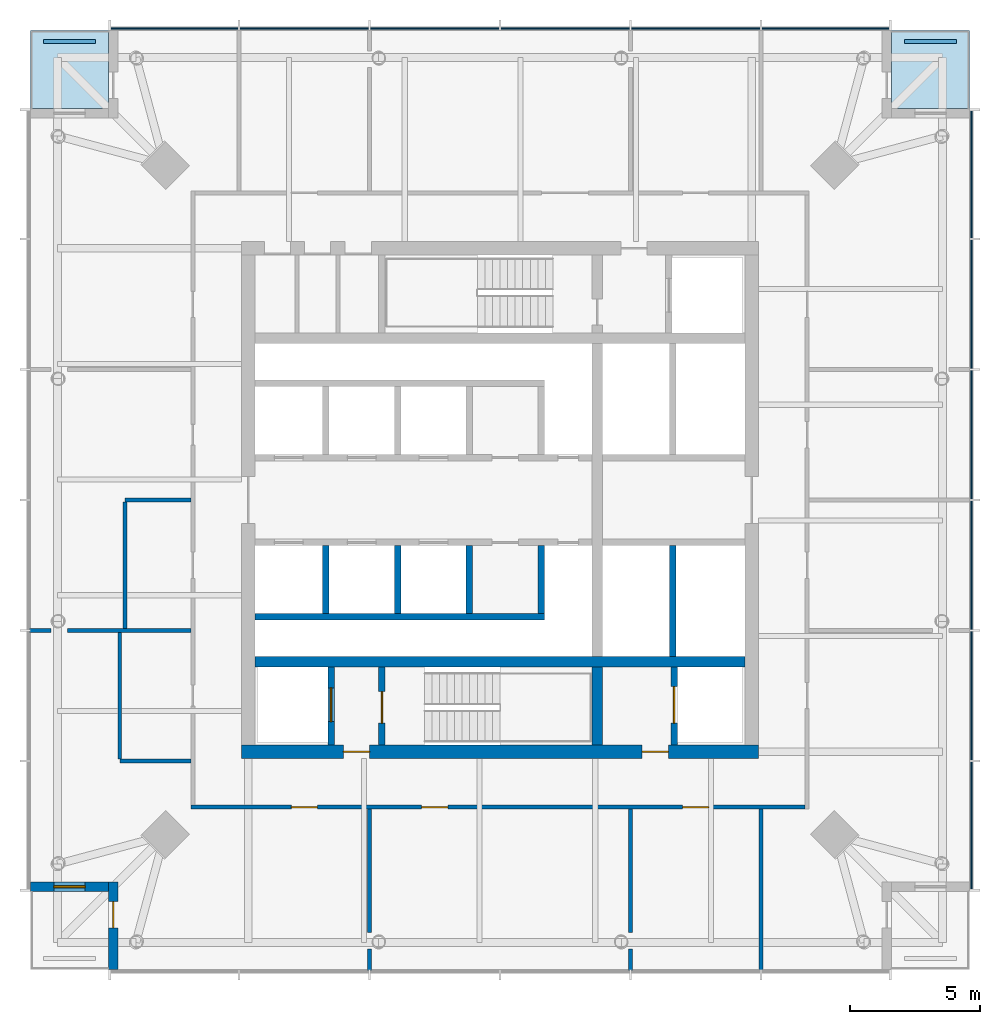
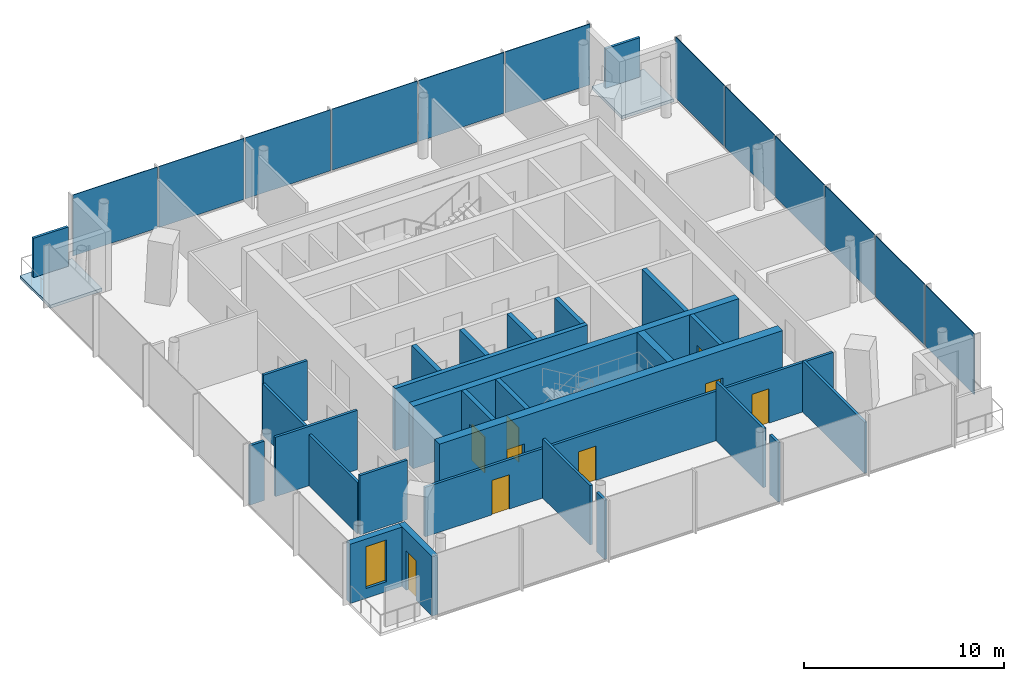
# One storey, part 3 of 7: 26 walls, 14 plates, 9 doors, 2 slabs, 1 window, 10 openings, 2 elements without a shape of their own.
"""IFC4 building model written with IfcOpenShell, lengths in metres."""

import ifcopenshell
import ifcopenshell.guid

model = None  # the IFC model being written
_history = None  # IfcOwnerHistory: only IFC2X3 demands one
_inside = {}  # id of a spatial element -> (the spatial element, [elements in it])
_under = {}  # id of a project, library or spatial element -> (it, [spatial elements below it])
_declared = {}  # id of a project -> (the project, [libraries it declares])
_typed = {}  # id of a type object -> (the type object, [elements of that type])
_made_of = {}  # id of a material, layer set ... -> (it, [elements and type objects made of it])


def new_model(schema):
    """Start an empty IFC model of exactly this schema.

    Asked for "IFC4X3", IfcOpenShell would pick the latest addendum, in which some entities
    have other attributes; the version numbers below select the first issue.
    IFC2X3 requires an IfcOwnerHistory on every rooted entity: one is made here for all.
    """
    global model, _history
    if schema == "IFC4X3":
        model = ifcopenshell.file(schema_version=(4, 3, 0, 0))
    else:
        model = ifcopenshell.file(schema=schema)
    _inside.clear()
    _under.clear()
    _declared.clear()
    _typed.clear()
    _made_of.clear()
    _history = None
    if model.schema == "IFC2X3":
        org = make("IfcOrganization", Name="unknown")
        user = make(
            "IfcPersonAndOrganization",
            ThePerson=make("IfcPerson", FamilyName="unknown"),
            TheOrganization=org,
        )
        app = make(
            "IfcApplication",
            ApplicationDeveloper=org,
            Version="unknown",
            ApplicationFullName="unknown",
            ApplicationIdentifier="unknown",
        )
        _history = make(
            "IfcOwnerHistory",
            OwningUser=user,
            OwningApplication=app,
            ChangeAction="ADDED",
            CreationDate=0,
        )
    return model


def make(cls, **values):
    """One entity of the class cls with the attributes given. An attribute that is None is left unset."""
    return model.create_entity(
        cls, **{name: value for name, value in values.items() if value is not None}
    )


def rooted(cls, **values):
    """An entity with a GlobalId (a new one), such as an element, a storey or a relation."""
    return make(cls, GlobalId=ifcopenshell.guid.new(), OwnerHistory=_history, **values)


def si_unit(unit_type, name, prefix=None):
    """IfcSIUnit, for example si_unit("LENGTHUNIT", "METRE", prefix="MILLI")."""
    return make("IfcSIUnit", UnitType=unit_type, Prefix=prefix, Name=name)


def assignment(units):
    """IfcUnitAssignment: the units of a project."""
    return None if units is None else make("IfcUnitAssignment", Units=units)


def point(xyz):
    """IfcCartesianPoint."""
    return None if xyz is None else make("IfcCartesianPoint", Coordinates=xyz)


def direction(xyz):
    """IfcDirection."""
    return None if xyz is None else make("IfcDirection", DirectionRatios=xyz)


def frame(location, z_axis=None, x_axis=None):
    """IfcAxis2Placement3D, a coordinate frame: its origin and axes. An axis left out is left unset."""
    return make(
        "IfcAxis2Placement3D",
        Location=point(location),
        Axis=direction(z_axis),
        RefDirection=direction(x_axis),
    )


def frame_2d(location, x_axis=None):
    """IfcAxis2Placement2D, a coordinate frame in the plane: its origin and x axis."""
    return make(
        "IfcAxis2Placement2D", Location=point(location), RefDirection=direction(x_axis)
    )


def origin():
    """The frame at (0, 0, 0) with its axes left unset."""
    return frame((0.0, 0.0, 0.0))


def origin_2d():
    """The frame at (0, 0) in the plane with its x axis left unset."""
    return frame_2d((0.0, 0.0))


def place(relative_to, where):
    """IfcLocalPlacement: puts the frame where relative to a parent placement (None: the world)."""
    return make(
        "IfcLocalPlacement", PlacementRelTo=relative_to, RelativePlacement=where
    )


def context(
    kind, dimensions, precision=None, world=None, true_north=None, identifier=None
):
    """IfcGeometricRepresentationContext, for example the 3D "Model" context."""
    return make(
        "IfcGeometricRepresentationContext",
        ContextIdentifier=identifier,
        ContextType=kind,
        CoordinateSpaceDimension=dimensions,
        Precision=precision,
        WorldCoordinateSystem=world,
        TrueNorth=true_north,
    )


def subcontext(parent, identifier, kind, view, scale=None):
    """IfcGeometricRepresentationSubContext, for example "Body" below "Model"."""
    return make(
        "IfcGeometricRepresentationSubContext",
        ContextIdentifier=identifier,
        ContextType=kind,
        ParentContext=parent,
        TargetScale=scale,
        TargetView=view,
    )


def project(units=None, contexts=None):
    """IfcProject with its units and contexts."""
    return rooted(
        "IfcProject",
        Name="project",
        RepresentationContexts=contexts,
        UnitsInContext=assignment(units),
    )


def spatial(cls, under=None, at=None, **own):
    """A site, building, storey or space (cls), placed at a placement, below another one or the project."""
    s = rooted(cls, ObjectPlacement=at, **own)
    if under is not None:
        _under.setdefault(under.id(), (under, []))[1].append(s)
    return s


def polyline(points):
    """IfcPolyline through the points."""
    return make("IfcPolyline", Points=[point(p) for p in points])


def profile(cls, at=None, kind="AREA", **sizes):
    """A parametric profile (cls). Its sizes go by their IFC names, for example OverallWidth=200.0."""
    return make(cls, ProfileType=kind, Position=at, **sizes)


def rectangle(**sizes):
    """IfcRectangleProfileDef."""
    return profile("IfcRectangleProfileDef", **sizes)


def outline(outer, holes=None, kind="AREA"):
    """IfcArbitraryClosedProfileDef: a profile drawn as a closed curve; with holes, ...WithVoids."""
    if holes is None:
        return make("IfcArbitraryClosedProfileDef", ProfileType=kind, OuterCurve=outer)
    return make(
        "IfcArbitraryProfileDefWithVoids",
        ProfileType=kind,
        OuterCurve=outer,
        InnerCurves=holes,
    )


def extrude(swept, where, along, depth):
    """IfcExtrudedAreaSolid: the profile swept, set in the frame where, extruded along a direction by depth."""
    return make(
        "IfcExtrudedAreaSolid",
        SweptArea=swept,
        Position=where,
        ExtrudedDirection=direction(along),
        Depth=depth,
    )


def shape(context_of_items, identifier, shape_type, items):
    """IfcShapeRepresentation: the items that make up one representation, for example the "Body"."""
    return make(
        "IfcShapeRepresentation",
        ContextOfItems=context_of_items,
        RepresentationIdentifier=identifier,
        RepresentationType=shape_type,
        Items=items,
    )


def material(Name=None, Category=None):
    """IfcMaterial."""
    return make("IfcMaterial", Name=Name, Category=Category)


def layer(
    of_material, thickness, ventilated=None, Name=None, Category=None, Priority=None
):
    """IfcMaterialLayer: one layer of a wall or slab, of a material (None: an air gap)."""
    return make(
        "IfcMaterialLayer",
        Material=of_material,
        LayerThickness=thickness,
        IsVentilated=ventilated,
        Name=Name,
        Category=Category,
        Priority=Priority,
    )


def layer_set(layers, Name=None):
    """IfcMaterialLayerSet."""
    return make("IfcMaterialLayerSet", MaterialLayers=layers, LayerSetName=Name)


def made_of(thing, what):
    """Note that an element or type object is made of a material, layer set ...; save() writes the relation."""
    if what is not None:
        _made_of.setdefault(what.id(), (what, []))[1].append(thing)
    return thing


def type_object(cls, material=None, **own):
    """A type object (cls), such as IfcWallType, which elements share."""
    return made_of(rooted(cls, **own), material)


def element(
    cls,
    number,
    at=None,
    inside=None,
    cuts=None,
    type_object=None,
    material=None,
    context=None,
    identifier="Body",
    shape_type=None,
    held_by="IfcProductDefinitionShape",
    body=None,
    shapes=None,
    **own,
):
    """One element of the class cls, such as IfcWall. Its Tag is "e" and its number.

    at: its placement. inside: the storey or other place that contains it. cuts: it is an
    opening in that element (IfcRelVoidsElement). A single representation is given by context,
    identifier, shape_type and body (its items); several are given by shapes. held_by: the class
    of the entity that holds the representations. save() writes the other relations.
    """
    e = rooted(cls, Tag="e%d" % number, ObjectPlacement=at, **own)
    if body is not None:
        shapes = [shape(context, identifier, shape_type, body)]
    if shapes is not None:
        e.Representation = make(held_by, Representations=shapes)
    if inside is not None:
        _inside.setdefault(inside.id(), (inside, []))[1].append(e)
    if cuts is not None:
        rooted(
            "IfcRelVoidsElement", RelatingBuildingElement=cuts, RelatedOpeningElement=e
        )
    if type_object is not None:
        _typed.setdefault(type_object.id(), (type_object, []))[1].append(e)
    return made_of(e, material)


def fill(opening, filler):
    """IfcRelFillsElement: the door or window that sits in an opening."""
    return rooted(
        "IfcRelFillsElement",
        RelatingOpeningElement=opening,
        RelatedBuildingElement=filler,
    )


def aggregate(whole, parts):
    """IfcRelAggregates: a whole, such as a stair, and the parts it consists of."""
    return rooted("IfcRelAggregates", RelatingObject=whole, RelatedObjects=parts)


def save(model, path):
    """Write the relations noted so far, then the file.

    IfcRelAggregates (storeys below a building ...), IfcRelContainedInSpatialStructure (elements
    in a storey), IfcRelDefinesByType, IfcRelAssociatesMaterial and IfcRelDeclares: one each for
    every whole, place, type object, material and project.
    """
    for whole, parts in _under.values():
        aggregate(whole, parts)
    for where, things in _inside.values():
        rooted(
            "IfcRelContainedInSpatialStructure",
            RelatedElements=things,
            RelatingStructure=where,
        )
    for kind, things in _typed.values():
        rooted("IfcRelDefinesByType", RelatedObjects=things, RelatingType=kind)
    for what, things in _made_of.values():
        rooted("IfcRelAssociatesMaterial", RelatedObjects=things, RelatingMaterial=what)
    for by, libraries in _declared.values():
        rooted("IfcRelDeclares", RelatingContext=by, RelatedDefinitions=libraries)
    model.write(path)


model = new_model("IFC4")

# Units and contexts
model_context = context("Model", 3, precision=1e-05, world=origin(), true_north=direction((0.0, 1.0)))
body_context = subcontext(model_context, "Body", "Model", "MODEL_VIEW")
ifc_project = project(units=[si_unit("LENGTHUNIT", "METRE"), si_unit("AREAUNIT", "SQUARE_METRE"), si_unit("VOLUMEUNIT", "CUBIC_METRE"), si_unit("PLANEANGLEUNIT", "RADIAN"), si_unit("MASSUNIT", "GRAM", prefix="KILO")], contexts=[model_context])

# Site, building, storey
site_placement = place(None, origin())
site = spatial("IfcSite", under=ifc_project, at=site_placement, CompositionType="ELEMENT")
building_placement = place(site_placement, origin())
building = spatial("IfcBuilding", under=site, at=building_placement, Name="Ostroluk Exchange", CompositionType="ELEMENT")
storey_placement = place(building_placement, frame((0.0, 0.0, 241.39990234375)))
storey = spatial("IfcBuildingStorey", under=building, at=storey_placement, Name="L62", CompositionType="ELEMENT", Elevation=241.39990234375)

# Slabs
ifc_material_1 = material(Name="Concrete C35/45", Category="concrete")
ifc_layer_1 = layer(ifc_material_1, 0.179931640625)
ifc_layer_set_1 = layer_set([ifc_layer_1], Name="Balcony slab 180")
slab_type = type_object("IfcSlabType", Name="Balcony slab 180", PredefinedType="USERDEFINED", material=ifc_layer_set_1)
slab_1_placement = place(storey_placement, frame((0.0, 0.0, -0.179931640625)))
element("IfcSlab", 1, at=slab_1_placement, inside=storey, type_object=slab_type, Name="Office tower NE corner balcony L62", ObjectType="BALCONY", PredefinedType="USERDEFINED", context=body_context, shape_type="SweptSolid", body=[
    extrude(outline(polyline([(60.0, 61.0), (63.0, 61.0), (63.0, 64.0), (60.0, 64.0), (60.0, 61.0)])), origin(), (0.0, 0.0, 1.0), 0.179931640625),
])
slab_2_placement = place(storey_placement, frame((0.0, 0.0, -0.179931640625)))
element("IfcSlab", 2, at=slab_2_placement, inside=storey, type_object=slab_type, Name="Office tower NW corner balcony L62", ObjectType="BALCONY", PredefinedType="USERDEFINED", context=body_context, shape_type="SweptSolid", body=[
    extrude(outline(polyline([(27.0, 61.0), (30.0, 61.0), (30.0, 64.0), (27.0, 64.0), (27.0, 61.0)])), origin(), (0.0, 0.0, 1.0), 0.179931640625),
])

# Plates
ifc_material_2 = material(Name="Steel S355 trellis with planting", Category="steel")
ifc_layer_2 = layer(ifc_material_2, 0.14990234375)
ifc_layer_set_2 = layer_set([ifc_layer_2], Name="Planted screen 150")
plate_type_1 = type_object("IfcPlateType", Name="Planted screen 150", PredefinedType="USERDEFINED", material=ifc_layer_set_2)
for number, where, z_axis, x_axis, name in (
    (3, (61.5, 63.574951171875, 0.000244140625), (0.0, 0.0, 1.0), (1.0, 0.0, 0.0), "Office tower NE planted screen L62"),
    (4, (28.5, 63.574951171875, 0.000244140625), (0.0, 0.0, 1.0), (1.0, 0.0, 0.0), "Office tower NW planted screen L62"),
):
    element("IfcPlate", number, at=place(storey_placement, frame(where, z_axis=z_axis, x_axis=x_axis)), inside=storey, type_object=plate_type_1, Name=name, ObjectType="PLANTED SCREEN", PredefinedType="USERDEFINED", context=body_context, shape_type="SweptSolid", body=[
        extrude(rectangle(XDim=2.0, YDim=0.14990234375, at=origin_2d()), origin(), (0.0, 0.0, 1.0), 2.39990234375),
    ])

# Curtain wall, plates
ifc_material_3 = material(Name="Laminated clear glass", Category="glass")
curtain_wall_type = type_object("IfcCurtainWallType", Name="Office tower facade", PredefinedType="USERDEFINED", material=ifc_material_3)
curtain_wall_1_placement = place(storey_placement, origin())
curtain_wall_1 = element("IfcCurtainWall", 5, at=curtain_wall_1_placement, inside=storey, type_object=curtain_wall_type, Name="Office tower east facade L62", ObjectType="UNITISED CURTAIN WALL", PredefinedType="USERDEFINED")
ifc_material_4 = material(Name="Laminated clear glass", Category="glass")
ifc_layer_3 = layer(ifc_material_4, 0.0439453125)
ifc_layer_set_3 = layer_set([ifc_layer_3], Name="Triple laminated clear glazing 44")
plate_type_2 = type_object("IfcPlateType", Name="Triple laminated clear glazing 44", PredefinedType="CURTAIN_PANEL", material=ifc_layer_set_3)
plate_1_placement = place(storey_placement, frame((63.074951171875, 33.52001953125, 0.080078125), z_axis=(0.0, 0.0, 1.0), x_axis=(0.0, 1.0, 0.0)))
plate_1 = element("IfcPlate", 6, at=plate_1_placement, type_object=plate_type_2, Name="CW-O1 panel 1.1", PredefinedType="CURTAIN_PANEL", context=body_context, shape_type="SweptSolid", body=[
    extrude(rectangle(XDim=4.8798828125, YDim=0.0439453125, at=origin_2d()), origin(), (0.0, 0.0, 1.0), 3.719970703125),
])
plate_2_placement = place(storey_placement, frame((63.074951171875, 38.5, 0.080078125), z_axis=(0.0, 0.0, 1.0), x_axis=(0.0, 1.0, 0.0)))
plate_2 = element("IfcPlate", 7, at=plate_2_placement, type_object=plate_type_2, Name="CW-O1 panel 2.1", PredefinedType="CURTAIN_PANEL", context=body_context, shape_type="SweptSolid", body=[
    extrude(rectangle(XDim=4.919921875, YDim=0.0439453125, at=origin_2d()), origin(), (0.0, 0.0, 1.0), 3.719970703125),
])
plate_3_placement = place(storey_placement, frame((63.074951171875, 43.5, 0.080078125), z_axis=(0.0, 0.0, 1.0), x_axis=(0.0, 1.0, 0.0)))
plate_3 = element("IfcPlate", 8, at=plate_3_placement, type_object=plate_type_2, Name="CW-O1 panel 3.1", PredefinedType="CURTAIN_PANEL", context=body_context, shape_type="SweptSolid", body=[
    extrude(rectangle(XDim=4.919921875, YDim=0.0439453125, at=origin_2d()), origin(), (0.0, 0.0, 1.0), 3.719970703125),
])
plate_4_placement = place(storey_placement, frame((63.074951171875, 48.5, 0.080078125), z_axis=(0.0, 0.0, 1.0), x_axis=(0.0, 1.0, 0.0)))
plate_4 = element("IfcPlate", 9, at=plate_4_placement, type_object=plate_type_2, Name="CW-O1 panel 4.1", PredefinedType="CURTAIN_PANEL", context=body_context, shape_type="SweptSolid", body=[
    extrude(rectangle(XDim=4.919921875, YDim=0.0439453125, at=origin_2d()), origin(), (0.0, 0.0, 1.0), 3.719970703125),
])
plate_5_placement = place(storey_placement, frame((63.074951171875, 53.5, 0.080078125), z_axis=(0.0, 0.0, 1.0), x_axis=(0.0, 1.0, 0.0)))
plate_5 = element("IfcPlate", 10, at=plate_5_placement, type_object=plate_type_2, Name="CW-O1 panel 5.1", PredefinedType="CURTAIN_PANEL", context=body_context, shape_type="SweptSolid", body=[
    extrude(rectangle(XDim=4.919921875, YDim=0.0439453125, at=origin_2d()), origin(), (0.0, 0.0, 1.0), 3.719970703125),
])
plate_6_placement = place(storey_placement, frame((63.074951171875, 58.47998046875, 0.080078125), z_axis=(0.0, 0.0, 1.0), x_axis=(0.0, 1.0, 0.0)))
plate_6 = element("IfcPlate", 11, at=plate_6_placement, type_object=plate_type_2, Name="CW-O1 panel 6.1", PredefinedType="CURTAIN_PANEL", context=body_context, shape_type="SweptSolid", body=[
    extrude(rectangle(XDim=4.8798828125, YDim=0.0439453125, at=origin_2d()), origin(), (0.0, 0.0, 1.0), 3.719970703125),
])
aggregate(curtain_wall_1, [plate_1, plate_2, plate_3, plate_4, plate_5, plate_6])

curtain_wall_2_placement = place(storey_placement, origin())
curtain_wall_2 = element("IfcCurtainWall", 12, at=curtain_wall_2_placement, inside=storey, type_object=curtain_wall_type, Name="Office tower north facade L62", ObjectType="UNITISED CURTAIN WALL", PredefinedType="USERDEFINED")
plate_7_placement = place(storey_placement, frame((57.47998046875, 64.074951171875, 0.080078125), z_axis=(0.0, 0.0, 1.0), x_axis=(-1.0, 0.0, 0.0)))
plate_7 = element("IfcPlate", 13, at=plate_7_placement, type_object=plate_type_2, Name="CW-O1 panel 1.1", PredefinedType="CURTAIN_PANEL", context=body_context, shape_type="SweptSolid", body=[
    extrude(rectangle(XDim=4.8798828125, YDim=0.0439453125, at=origin_2d()), origin(), (0.0, 0.0, 1.0), 3.719970703125),
])
plate_8_placement = place(storey_placement, frame((52.5, 64.074951171875, 0.080078125), z_axis=(0.0, 0.0, 1.0), x_axis=(-1.0, 0.0, 0.0)))
plate_8 = element("IfcPlate", 14, at=plate_8_placement, type_object=plate_type_2, Name="CW-O1 panel 2.1", PredefinedType="CURTAIN_PANEL", context=body_context, shape_type="SweptSolid", body=[
    extrude(rectangle(XDim=4.919921875, YDim=0.0439453125, at=origin_2d()), origin(), (0.0, 0.0, 1.0), 3.719970703125),
])
plate_9_placement = place(storey_placement, frame((47.5, 64.074951171875, 0.080078125), z_axis=(0.0, 0.0, 1.0), x_axis=(-1.0, 0.0, 0.0)))
plate_9 = element("IfcPlate", 15, at=plate_9_placement, type_object=plate_type_2, Name="CW-O1 panel 3.1", PredefinedType="CURTAIN_PANEL", context=body_context, shape_type="SweptSolid", body=[
    extrude(rectangle(XDim=4.919921875, YDim=0.0439453125, at=origin_2d()), origin(), (0.0, 0.0, 1.0), 3.719970703125),
])
plate_10_placement = place(storey_placement, frame((42.5, 64.074951171875, 0.080078125), z_axis=(0.0, 0.0, 1.0), x_axis=(-1.0, 0.0, 0.0)))
plate_10 = element("IfcPlate", 16, at=plate_10_placement, type_object=plate_type_2, Name="CW-O1 panel 4.1", PredefinedType="CURTAIN_PANEL", context=body_context, shape_type="SweptSolid", body=[
    extrude(rectangle(XDim=4.919921875, YDim=0.0439453125, at=origin_2d()), origin(), (0.0, 0.0, 1.0), 3.719970703125),
])
plate_11_placement = place(storey_placement, frame((37.5, 64.074951171875, 0.080078125), z_axis=(0.0, 0.0, 1.0), x_axis=(-1.0, 0.0, 0.0)))
plate_11 = element("IfcPlate", 17, at=plate_11_placement, type_object=plate_type_2, Name="CW-O1 panel 5.1", PredefinedType="CURTAIN_PANEL", context=body_context, shape_type="SweptSolid", body=[
    extrude(rectangle(XDim=4.919921875, YDim=0.0439453125, at=origin_2d()), origin(), (0.0, 0.0, 1.0), 3.719970703125),
])
plate_12_placement = place(storey_placement, frame((32.52001953125, 64.074951171875, 0.080078125), z_axis=(0.0, 0.0, 1.0), x_axis=(-1.0, 0.0, 0.0)))
plate_12 = element("IfcPlate", 18, at=plate_12_placement, type_object=plate_type_2, Name="CW-O1 panel 6.1", PredefinedType="CURTAIN_PANEL", context=body_context, shape_type="SweptSolid", body=[
    extrude(rectangle(XDim=4.8798828125, YDim=0.0439453125, at=origin_2d()), origin(), (0.0, 0.0, 1.0), 3.719970703125),
])
aggregate(curtain_wall_2, [plate_7, plate_8, plate_9, plate_10, plate_11, plate_12])

# Walls
ifc_material_5 = material(Name="Concrete C50/60", Category="concrete")
ifc_layer_4 = layer(ifc_material_5, 0.39990234375)
ifc_layer_set_4 = layer_set([ifc_layer_4], Name="Core cross wall 400 C50/60")
wall_type_1 = type_object("IfcWallType", Name="Core cross wall 400 C50/60", PredefinedType="SHEAR", material=ifc_layer_set_4)
wall_1_placement = place(storey_placement, frame((35.60009765625, 39.800048828125, 0.0), z_axis=(0.0, 0.0, 1.0), x_axis=(1.0, 0.0, 0.0)))
element("IfcWall", 19, at=wall_1_placement, inside=storey, type_object=wall_type_1, Name="T1 core wall XS", PredefinedType="SHEAR", context=body_context, shape_type="SweptSolid", body=[
    extrude(rectangle(XDim=18.7998046875, YDim=0.39990234375, at=frame_2d((9.39990234375, 0.0))), origin(), (0.0, 0.0, 1.0), 3.800048828125),
])
wall_2_placement = place(storey_placement, frame((48.72998046875, 36.60009765625, 0.0), z_axis=(0.0, 0.0, 1.0), x_axis=(0.0, 1.0, 0.0)))
element("IfcWall", 20, at=wall_2_placement, inside=storey, type_object=wall_type_1, Name="T1 core wall YE1", PredefinedType="SHEAR", context=body_context, shape_type="SweptSolid", body=[
    extrude(rectangle(XDim=3.0, YDim=0.39990234375, at=frame_2d((1.5, 0.0))), origin(), (0.0, 0.0, 1.0), 3.800048828125),
])

# Wall, opening, door
ifc_material_6 = material(Name="Concrete C40/50", Category="concrete")
ifc_layer_5 = layer(ifc_material_6, 0.25)
ifc_layer_set_5 = layer_set([ifc_layer_5], Name="Core shaft wall 250")
wall_type_2 = type_object("IfcWallType", Name="Core shaft wall 250", PredefinedType="SHEAR", material=ifc_layer_set_5)
wall_3_placement = place(storey_placement, frame((38.52490234375, 36.60009765625, 0.0), z_axis=(0.0, 0.0, 1.0), x_axis=(0.0, 1.0, 0.0)))
wall_3 = element("IfcWall", 21, at=wall_3_placement, inside=storey, type_object=wall_type_2, Name="Firefighting lift shaft wall", PredefinedType="SHEAR", context=body_context, shape_type="SweptSolid", body=[
    extrude(rectangle(XDim=3.0, YDim=0.25, at=frame_2d((1.5, 0.0))), origin(), (0.0, 0.0, 1.0), 3.800048828125),
])
opening_1_placement = place(wall_3_placement, frame((0.89990234375, 0.0, 0.0)))
opening_1 = element("IfcOpeningElement", 22, at=opening_1_placement, cuts=wall_3, Name="Opening LD2", PredefinedType="OPENING", context=body_context, shape_type="SweptSolid", body=[
    extrude(rectangle(XDim=1.300048828125, YDim=2.199951171875, at=frame_2d((0.64990234375, 1.10009765625))), frame((0.0, 0.135009765625, 0.0), z_axis=(0.0, -1.0, 0.0), x_axis=(1.0, 0.0, 0.0)), (0.0, 0.0, 1.0), 0.27001953125),
])
ifc_material_7 = material(Name="Stainless steel", Category="steel")
door_type_1 = type_object("IfcDoorType", Name="Lift landing door E 60 1300 x 2200", OperationType="DOUBLE_DOOR_SLIDING", PredefinedType="DOOR", material=ifc_material_7)
door_1_placement = place(opening_1_placement, origin())
door_1 = element("IfcDoor", 23, at=door_1_placement, inside=storey, type_object=door_type_1, Name="Lift FL1 landing door", OperationType="DOUBLE_DOOR_SLIDING", OverallHeight=2.199951171875, OverallWidth=1.300048828125, PredefinedType="DOOR", context=body_context, shape_type="SweptSolid", body=[
    extrude(rectangle(XDim=1.300048828125, YDim=2.199951171875, at=frame_2d((0.64990234375, 1.10009765625))), frame((0.0, 0.02490234375, 0.0), z_axis=(0.0, -1.0, 0.0), x_axis=(1.0, 0.0, 0.0)), (0.0, 0.0, 1.0), 0.050048828125),
])
fill(opening_1, door_1)

wall_4_placement = place(storey_placement, frame((40.47509765625, 36.60009765625, 0.0), z_axis=(0.0, 0.0, 1.0), x_axis=(0.0, 1.0, 0.0)))
wall_4 = element("IfcWall", 24, at=wall_4_placement, inside=storey, type_object=wall_type_2, Name="Stair shaft wall", PredefinedType="SHEAR", context=body_context, shape_type="SweptSolid", body=[
    extrude(rectangle(XDim=3.0, YDim=0.25, at=frame_2d((1.5, 0.0))), origin(), (0.0, 0.0, 1.0), 3.800048828125),
])
opening_2_placement = place(wall_4_placement, frame((0.85009765625, 0.0, 0.0)))
opening_2 = element("IfcOpeningElement", 25, at=opening_2_placement, cuts=wall_4, Name="Opening FD60S", PredefinedType="OPENING", context=body_context, shape_type="SweptSolid", body=[
    extrude(rectangle(XDim=1.199951171875, YDim=2.10009765625, at=frame_2d((0.60009765625, 1.050048828125))), frame((0.0, 0.135009765625, 0.0), z_axis=(0.0, -1.0, 0.0), x_axis=(1.0, 0.0, 0.0)), (0.0, 0.0, 1.0), 0.27001953125),
])
ifc_material_8 = material(Name="Steel", Category="steel")
door_type_2 = type_object("IfcDoorType", Name="Stair door EI 60 1200 x 2100", OperationType="SINGLE_SWING_LEFT", PredefinedType="DOOR", material=ifc_material_8)
door_2_placement = place(opening_2_placement, origin())
door_2 = element("IfcDoor", 26, at=door_2_placement, inside=storey, type_object=door_type_2, Name="Stair T1-S1 door", OperationType="SINGLE_SWING_LEFT", OverallHeight=2.10009765625, OverallWidth=1.199951171875, PredefinedType="DOOR", context=body_context, shape_type="SweptSolid", body=[
    extrude(rectangle(XDim=1.199951171875, YDim=2.10009765625, at=frame_2d((0.60009765625, 1.050048828125))), frame((0.0, 0.02490234375, 0.0), z_axis=(0.0, -1.0, 0.0), x_axis=(1.0, 0.0, 0.0)), (0.0, 0.0, 1.0), 0.050048828125),
])
fill(opening_2, door_2)

wall_5_placement = place(storey_placement, frame((51.675048828125, 36.60009765625, 0.0), z_axis=(0.0, 0.0, 1.0), x_axis=(0.0, 1.0, 0.0)))
wall_5 = element("IfcWall", 27, at=wall_5_placement, inside=storey, type_object=wall_type_2, Name="Service lift shaft wall", PredefinedType="SHEAR", context=body_context, shape_type="SweptSolid", body=[
    extrude(rectangle(XDim=3.0, YDim=0.25, at=frame_2d((1.5, 0.0))), origin(), (0.0, 0.0, 1.0), 3.800048828125),
])
opening_3_placement = place(wall_5_placement, frame((0.85009765625, 0.0, 0.0)))
opening_3 = element("IfcOpeningElement", 28, at=opening_3_placement, cuts=wall_5, Name="Opening LD3", PredefinedType="OPENING", context=body_context, shape_type="SweptSolid", body=[
    extrude(rectangle(XDim=1.39990234375, YDim=2.39990234375, at=frame_2d((0.699951171875, 1.199951171875))), frame((0.0, 0.135009765625, 0.0), z_axis=(0.0, -1.0, 0.0), x_axis=(1.0, 0.0, 0.0)), (0.0, 0.0, 1.0), 0.27001953125),
])
ifc_material_9 = material(Name="Stainless steel", Category="steel")
door_type_3 = type_object("IfcDoorType", Name="Goods lift landing door E 60 1400 x 2400", OperationType="DOUBLE_DOOR_SLIDING", PredefinedType="DOOR", material=ifc_material_9)
door_3_placement = place(opening_3_placement, origin())
door_3 = element("IfcDoor", 29, at=door_3_placement, inside=storey, type_object=door_type_3, Name="Lift SL1 landing door", OperationType="DOUBLE_DOOR_SLIDING", OverallHeight=2.39990234375, OverallWidth=1.39990234375, PredefinedType="DOOR", context=body_context, shape_type="SweptSolid", body=[
    extrude(rectangle(XDim=1.39990234375, YDim=2.39990234375, at=frame_2d((0.699951171875, 1.199951171875))), frame((0.0, 0.02490234375, 0.0), z_axis=(0.0, -1.0, 0.0), x_axis=(1.0, 0.0, 0.0)), (0.0, 0.0, 1.0), 0.050048828125),
])
fill(opening_3, door_3)

# Walls
for number, where, z_axis, x_axis, name in (
    (30, (38.324951171875, 44.25, 0.0), (0.0, 0.0, 1.0), (0.0, -1.0, 0.0), "Lift shaft wall"),
    (31, (41.074951171875, 44.25, 0.0), (0.0, 0.0, 1.0), (0.0, -1.0, 0.0), "Lift shaft wall"),
    (32, (43.824951171875, 44.25, 0.0), (0.0, 0.0, 1.0), (0.0, -1.0, 0.0), "Lift shaft wall"),
    (33, (46.574951171875, 44.25, 0.0), (0.0, 0.0, 1.0), (0.0, -1.0, 0.0), "Lift shaft wall"),
):
    element("IfcWall", number, at=place(storey_placement, frame(where, z_axis=z_axis, x_axis=x_axis)), inside=storey, type_object=wall_type_2, Name=name, PredefinedType="SHEAR", context=body_context, shape_type="SweptSolid", body=[
        extrude(rectangle(XDim=2.60009765625, YDim=0.25, at=frame_2d((1.300048828125, 0.0))), origin(), (0.0, 0.0, 1.0), 3.800048828125),
    ])
wall_6_placement = place(storey_placement, frame((35.60009765625, 41.52490234375, 0.0), z_axis=(0.0, 0.0, 1.0), x_axis=(1.0, 0.0, 0.0)))
element("IfcWall", 34, at=wall_6_placement, inside=storey, type_object=wall_type_2, Name="Lift shaft wall", PredefinedType="SHEAR", context=body_context, shape_type="SweptSolid", body=[
    extrude(rectangle(XDim=11.099853515625, YDim=0.25, at=frame_2d((5.5498046875, 0.0))), origin(), (0.0, 0.0, 1.0), 3.800048828125),
])
wall_7_placement = place(storey_placement, frame((51.614990234375, 44.25, 0.0), z_axis=(0.0, 0.0, 1.0), x_axis=(0.0, -1.0, 0.0)))
element("IfcWall", 35, at=wall_7_placement, inside=storey, type_object=wall_type_2, Name="Lift shaft wall", PredefinedType="SHEAR", context=body_context, shape_type="SweptSolid", body=[
    extrude(rectangle(XDim=4.25, YDim=0.25, at=frame_2d((2.125, 0.0))), origin(), (0.0, 0.0, 1.0), 3.800048828125),
])

# Wall, openings, doors
ifc_material_10 = material(Name="Concrete C50/60", Category="concrete")
ifc_layer_6 = layer(ifc_material_10, 0.5)
ifc_layer_set_6 = layer_set([ifc_layer_6], Name="Core wall 500 C50/60")
wall_type_3 = type_object("IfcWallType", Name="Core wall 500 C50/60", PredefinedType="SHEAR", material=ifc_layer_set_6)
wall_8_placement = place(storey_placement, frame((35.10009765625, 36.35009765625, 0.0), z_axis=(0.0, 0.0, 1.0), x_axis=(1.0, 0.0, 0.0)))
wall_8 = element("IfcWall", 36, at=wall_8_placement, inside=storey, type_object=wall_type_3, Name="T1 core wall S", PredefinedType="SHEAR", context=body_context, shape_type="SweptSolid", body=[
    extrude(rectangle(XDim=19.7998046875, YDim=0.5, at=frame_2d((9.89990234375, 0.0))), origin(), (0.0, 0.0, 1.0), 3.800048828125),
])
opening_4_placement = place(wall_8_placement, frame((3.89990234375, 0.0, 0.0)))
opening_4 = element("IfcOpeningElement", 37, at=opening_4_placement, cuts=wall_8, Name="Opening FD60", PredefinedType="OPENING", context=body_context, shape_type="SweptSolid", body=[
    extrude(rectangle(XDim=1.0, YDim=2.10009765625, at=frame_2d((0.5, 1.050048828125))), frame((0.0, 0.260009765625, 0.0), z_axis=(0.0, -1.0, 0.0), x_axis=(1.0, 0.0, 0.0)), (0.0, 0.0, 1.0), 0.52001953125),
])
opening_5_placement = place(wall_8_placement, frame((15.35009765625, 0.0, 0.0)))
opening_5 = element("IfcOpeningElement", 38, at=opening_5_placement, cuts=wall_8, Name="Opening FD60", PredefinedType="OPENING", context=body_context, shape_type="SweptSolid", body=[
    extrude(rectangle(XDim=1.0, YDim=2.10009765625, at=frame_2d((0.5, 1.050048828125))), frame((0.0, 0.260009765625, 0.0), z_axis=(0.0, -1.0, 0.0), x_axis=(1.0, 0.0, 0.0)), (0.0, 0.0, 1.0), 0.52001953125),
])
ifc_material_11 = material(Name="Steel", Category="steel")
door_type_4 = type_object("IfcDoorType", Name="Fire door EI 60 1000 x 2100", OperationType="SINGLE_SWING_LEFT", PredefinedType="DOOR", material=ifc_material_11)
door_4_placement = place(opening_4_placement, origin())
door_4 = element("IfcDoor", 39, at=door_4_placement, inside=storey, type_object=door_type_4, Name="Firefighting lobby door", OperationType="SINGLE_SWING_LEFT", OverallHeight=2.10009765625, OverallWidth=1.0, PredefinedType="DOOR", context=body_context, shape_type="SweptSolid", body=[
    extrude(rectangle(XDim=1.0, YDim=2.10009765625, at=frame_2d((0.5, 1.050048828125))), frame((0.0, 0.02490234375, 0.0), z_axis=(0.0, -1.0, 0.0), x_axis=(1.0, 0.0, 0.0)), (0.0, 0.0, 1.0), 0.050048828125),
])
fill(opening_4, door_4)
door_5_placement = place(opening_5_placement, origin())
door_5 = element("IfcDoor", 40, at=door_5_placement, inside=storey, type_object=door_type_4, Name="Service lobby door", OperationType="SINGLE_SWING_RIGHT", OverallHeight=2.10009765625, OverallWidth=1.0, PredefinedType="DOOR", context=body_context, shape_type="SweptSolid", body=[
    extrude(rectangle(XDim=1.0, YDim=2.10009765625, at=frame_2d((0.5, 1.050048828125))), frame((0.0, 0.02490234375, 0.0), z_axis=(0.0, -1.0, 0.0), x_axis=(1.0, 0.0, 0.0)), (0.0, 0.0, 1.0), 0.050048828125),
])
fill(opening_5, door_5)

# Wall, opening, door
ifc_material_12 = material(Name="Limestone", Category="masonry")
ifc_layer_7 = layer(ifc_material_12, 0.35009765625)
ifc_layer_set_7 = layer_set([ifc_layer_7], Name="Limestone facade wall 350")
wall_type_4 = type_object("IfcWallType", Name="Limestone facade wall 350", PredefinedType="SOLIDWALL", material=ifc_layer_set_7)
wall_9_placement = place(storey_placement, frame((30.175048828125, 28.0, 0.0), z_axis=(0.0, 0.0, 1.0), x_axis=(0.0, 1.0, 0.0)))
wall_9 = element("IfcWall", 41, at=wall_9_placement, inside=storey, type_object=wall_type_4, Name="Office tower SW corner wall L62 a", PredefinedType="SOLIDWALL", context=body_context, shape_type="SweptSolid", body=[
    extrude(rectangle(XDim=3.35009765625, YDim=0.35009765625, at=frame_2d((1.675048828125, 0.0))), origin(), (0.0, 0.0, 1.0), 3.6201171875),
])
opening_6_placement = place(wall_9_placement, frame((1.60009765625, 0.0, 0.0)))
opening_6 = element("IfcOpeningElement", 42, at=opening_6_placement, cuts=wall_9, Name="Opening D-B1", PredefinedType="OPENING", context=body_context, shape_type="SweptSolid", body=[
    extrude(rectangle(XDim=1.0, YDim=2.39990234375, at=frame_2d((0.5, 1.199951171875))), frame((0.0, 0.18505859375, 0.0), z_axis=(0.0, -1.0, 0.0), x_axis=(1.0, 0.0, 0.0)), (0.0, 0.0, 1.0), 0.3701171875),
])
ifc_material_13 = material(Name="Bronze framed glazed door", Category="aluminium")
door_type_5 = type_object("IfcDoorType", Name="Balcony door 1000 x 2400", OperationType="SINGLE_SWING_LEFT", PredefinedType="DOOR", material=ifc_material_13)
door_6_placement = place(opening_6_placement, origin())
door_6 = element("IfcDoor", 43, at=door_6_placement, inside=storey, type_object=door_type_5, Name="Office tower SW balcony door L62", OperationType="SINGLE_SWING_RIGHT", OverallHeight=2.39990234375, OverallWidth=1.0, PredefinedType="DOOR", context=body_context, shape_type="SweptSolid", body=[
    extrude(rectangle(XDim=1.0, YDim=2.39990234375, at=frame_2d((0.5, 1.199951171875))), frame((0.0, 0.02490234375, 0.0), z_axis=(0.0, -1.0, 0.0), x_axis=(1.0, 0.0, 0.0)), (0.0, 0.0, 1.0), 0.050048828125),
])
fill(opening_6, door_6)

# Wall, opening, window
wall_10_placement = place(storey_placement, frame((30.0, 31.175048828125, 0.0), z_axis=(0.0, 0.0, 1.0), x_axis=(-1.0, 0.0, 0.0)))
wall_10 = element("IfcWall", 44, at=wall_10_placement, inside=storey, type_object=wall_type_4, Name="Office tower SW corner wall L62 b", PredefinedType="SOLIDWALL", context=body_context, shape_type="SweptSolid", body=[
    extrude(rectangle(XDim=3.0, YDim=0.35009765625, at=frame_2d((1.5, 0.0))), origin(), (0.0, 0.0, 1.0), 3.6201171875),
])
opening_7_placement = place(wall_10_placement, frame((0.89990234375, 0.0, 0.60009765625)))
opening_7 = element("IfcOpeningElement", 45, at=opening_7_placement, cuts=wall_10, Name="Opening WN-L1", PredefinedType="OPENING", context=body_context, shape_type="SweptSolid", body=[
    extrude(rectangle(XDim=1.199951171875, YDim=2.550048828125, at=frame_2d((0.60009765625, 1.27490234375))), frame((0.0, 0.18505859375, 0.0), z_axis=(0.0, -1.0, 0.0), x_axis=(1.0, 0.0, 0.0)), (0.0, 0.0, 1.0), 0.3701171875),
])
ifc_material_14 = material(Name="Laminated clear glass", Category="glass")
window_type = type_object("IfcWindowType", Name="Lancet window 1200 x 2550", PartitioningType="SINGLE_PANEL", PredefinedType="WINDOW", material=ifc_material_14)
window_placement = place(opening_7_placement, origin())
window = element("IfcWindow", 46, at=window_placement, inside=storey, type_object=window_type, Name="Office tower SW lancet window L62", OverallHeight=2.550048828125, OverallWidth=1.199951171875, PartitioningType="SINGLE_PANEL", PredefinedType="WINDOW", context=body_context, shape_type="SweptSolid", body=[
    extrude(rectangle(XDim=1.199951171875, YDim=2.550048828125, at=frame_2d((0.60009765625, 1.27490234375))), frame((0.0, 0.030029296875, 0.0), z_axis=(0.0, -1.0, 0.0), x_axis=(1.0, 0.0, 0.0)), (0.0, 0.0, 1.0), 0.06005859375),
])
fill(opening_7, window)

# Walls
ifc_material_15 = material(Name="Gypsum plasterboard partition", Category="gypsum")
ifc_layer_8 = layer(ifc_material_15, 0.14990234375)
ifc_layer_set_8 = layer_set([ifc_layer_8], Name="Plasterboard partition 150")
wall_type_5 = type_object("IfcWallType", Name="Plasterboard partition 150", PredefinedType="PARTITIONING", material=ifc_layer_set_8)
wall_11_placement = place(storey_placement, frame((33.14990234375, 46.0, 0.0), z_axis=(0.0, 0.0, 1.0), x_axis=(-1.0, 0.0, 0.0)))
element("IfcWall", 47, at=wall_11_placement, inside=storey, type_object=wall_type_5, Name="Partition", PredefinedType="PARTITIONING", context=body_context, shape_type="SweptSolid", body=[
    extrude(rectangle(XDim=2.52490234375, YDim=0.14990234375, at=frame_2d((1.262451171875, 0.0))), origin(), (0.0, 0.0, 1.0), 3.6201171875),
])
wall_12_placement = place(storey_placement, frame((33.14990234375, 41.0, 0.0), z_axis=(0.0, 0.0, 1.0), x_axis=(-1.0, 0.0, 0.0)))
element("IfcWall", 48, at=wall_12_placement, inside=storey, type_object=wall_type_5, Name="Partition", PredefinedType="PARTITIONING", context=body_context, shape_type="SweptSolid", body=[
    extrude(rectangle(XDim=4.731689453125, YDim=0.14990234375, at=frame_2d((2.36572265625, 0.0))), origin(), (0.0, 0.0, 1.0), 3.6201171875),
])
wall_13_placement = place(storey_placement, frame((27.788818359375, 41.0, 0.0), z_axis=(0.0, 0.0, 1.0), x_axis=(-1.0, 0.0, 0.0)))
element("IfcWall", 49, at=wall_13_placement, inside=storey, type_object=wall_type_5, Name="Partition", PredefinedType="PARTITIONING", context=body_context, shape_type="SweptSolid", body=[
    extrude(rectangle(XDim=0.828857421875, YDim=0.14990234375, at=frame_2d((0.41455078125, 0.0))), origin(), (0.0, 0.0, 1.0), 3.6201171875),
])
wall_14_placement = place(storey_placement, frame((33.14990234375, 36.0, 0.0), z_axis=(0.0, 0.0, 1.0), x_axis=(-1.0, 0.0, 0.0)))
element("IfcWall", 50, at=wall_14_placement, inside=storey, type_object=wall_type_5, Name="Partition", PredefinedType="PARTITIONING", context=body_context, shape_type="SweptSolid", body=[
    extrude(rectangle(XDim=2.724853515625, YDim=0.14990234375, at=frame_2d((1.3623046875, 0.0))), origin(), (0.0, 0.0, 1.0), 3.6201171875),
])

# Wall, openings, doors
wall_15_placement = place(storey_placement, frame((33.14990234375, 34.22509765625, 0.0), z_axis=(0.0, 0.0, 1.0), x_axis=(1.0, 0.0, 0.0)))
wall_15 = element("IfcWall", 51, at=wall_15_placement, inside=storey, type_object=wall_type_5, Name="Partition", PredefinedType="PARTITIONING", context=body_context, shape_type="SweptSolid", body=[
    extrude(rectangle(XDim=23.550048828125, YDim=0.14990234375, at=frame_2d((11.77490234375, 0.0))), origin(), (0.0, 0.0, 1.0), 3.02001953125),
])
opening_8_placement = place(wall_15_placement, frame((3.85009765625, 0.0, 0.0)))
opening_8 = element("IfcOpeningElement", 52, at=opening_8_placement, cuts=wall_15, Name="Opening D-03", PredefinedType="OPENING", context=body_context, shape_type="SweptSolid", body=[
    extrude(rectangle(XDim=1.0, YDim=2.10009765625, at=frame_2d((0.5, 1.050048828125))), frame((0.0, 0.0849609375, 0.0), z_axis=(0.0, -1.0, 0.0), x_axis=(1.0, 0.0, 0.0)), (0.0, 0.0, 1.0), 0.169921875),
])
opening_9_placement = place(wall_15_placement, frame((8.85009765625, 0.0, 0.0)))
opening_9 = element("IfcOpeningElement", 53, at=opening_9_placement, cuts=wall_15, Name="Opening D-03", PredefinedType="OPENING", context=body_context, shape_type="SweptSolid", body=[
    extrude(rectangle(XDim=1.0, YDim=2.10009765625, at=frame_2d((0.5, 1.050048828125))), frame((0.0, 0.0849609375, 0.0), z_axis=(0.0, -1.0, 0.0), x_axis=(1.0, 0.0, 0.0)), (0.0, 0.0, 1.0), 0.169921875),
])
opening_10_placement = place(wall_15_placement, frame((18.85009765625, 0.0, 0.0)))
opening_10 = element("IfcOpeningElement", 54, at=opening_10_placement, cuts=wall_15, Name="Opening D-03", PredefinedType="OPENING", context=body_context, shape_type="SweptSolid", body=[
    extrude(rectangle(XDim=1.0, YDim=2.10009765625, at=frame_2d((0.5, 1.050048828125))), frame((0.0, 0.0849609375, 0.0), z_axis=(0.0, -1.0, 0.0), x_axis=(1.0, 0.0, 0.0)), (0.0, 0.0, 1.0), 0.169921875),
])
ifc_material_16 = material(Name="Timber", Category="wood")
door_type_6 = type_object("IfcDoorType", Name="Internal door 1000 x 2100", OperationType="SINGLE_SWING_LEFT", PredefinedType="DOOR", material=ifc_material_16)
door_7_placement = place(opening_8_placement, origin())
door_7 = element("IfcDoor", 55, at=door_7_placement, inside=storey, type_object=door_type_6, Name="Corner office door", OperationType="SINGLE_SWING_LEFT", OverallHeight=2.10009765625, OverallWidth=1.0, PredefinedType="DOOR", context=body_context, shape_type="SweptSolid", body=[
    extrude(rectangle(XDim=1.0, YDim=2.10009765625, at=frame_2d((0.5, 1.050048828125))), frame((0.0, 0.02490234375, 0.0), z_axis=(0.0, -1.0, 0.0), x_axis=(1.0, 0.0, 0.0)), (0.0, 0.0, 1.0), 0.050048828125),
])
fill(opening_8, door_7)
door_8_placement = place(opening_9_placement, origin())
door_8 = element("IfcDoor", 56, at=door_8_placement, inside=storey, type_object=door_type_6, Name="Office door", OperationType="SINGLE_SWING_LEFT", OverallHeight=2.10009765625, OverallWidth=1.0, PredefinedType="DOOR", context=body_context, shape_type="SweptSolid", body=[
    extrude(rectangle(XDim=1.0, YDim=2.10009765625, at=frame_2d((0.5, 1.050048828125))), frame((0.0, 0.02490234375, 0.0), z_axis=(0.0, -1.0, 0.0), x_axis=(1.0, 0.0, 0.0)), (0.0, 0.0, 1.0), 0.050048828125),
])
fill(opening_9, door_8)
door_9_placement = place(opening_10_placement, origin())
door_9 = element("IfcDoor", 57, at=door_9_placement, inside=storey, type_object=door_type_6, Name="Office door", OperationType="SINGLE_SWING_RIGHT", OverallHeight=2.10009765625, OverallWidth=1.0, PredefinedType="DOOR", context=body_context, shape_type="SweptSolid", body=[
    extrude(rectangle(XDim=1.0, YDim=2.10009765625, at=frame_2d((0.5, 1.050048828125))), frame((0.0, 0.02490234375, 0.0), z_axis=(0.0, -1.0, 0.0), x_axis=(1.0, 0.0, 0.0)), (0.0, 0.0, 1.0), 0.050048828125),
])
fill(opening_10, door_9)

# Walls
wall_16_placement = place(storey_placement, frame((40.0, 34.14990234375, 0.0), z_axis=(0.0, 0.0, 1.0), x_axis=(0.0, -1.0, 0.0)))
element("IfcWall", 58, at=wall_16_placement, inside=storey, type_object=wall_type_5, Name="Partition", PredefinedType="PARTITIONING", context=body_context, shape_type="SweptSolid", body=[
    extrude(rectangle(XDim=4.731689453125, YDim=0.14990234375, at=frame_2d((2.36572265625, 0.0))), origin(), (0.0, 0.0, 1.0), 3.6201171875),
])
wall_17_placement = place(storey_placement, frame((40.0, 28.788818359375, 0.0), z_axis=(0.0, 0.0, 1.0), x_axis=(0.0, -1.0, 0.0)))
element("IfcWall", 59, at=wall_17_placement, inside=storey, type_object=wall_type_5, Name="Partition", PredefinedType="PARTITIONING", context=body_context, shape_type="SweptSolid", body=[
    extrude(rectangle(XDim=0.828857421875, YDim=0.14990234375, at=frame_2d((0.41455078125, 0.0))), origin(), (0.0, 0.0, 1.0), 3.6201171875),
])
wall_18_placement = place(storey_placement, frame((50.0, 34.14990234375, 0.0), z_axis=(0.0, 0.0, 1.0), x_axis=(0.0, -1.0, 0.0)))
element("IfcWall", 60, at=wall_18_placement, inside=storey, type_object=wall_type_5, Name="Partition", PredefinedType="PARTITIONING", context=body_context, shape_type="SweptSolid", body=[
    extrude(rectangle(XDim=4.731689453125, YDim=0.14990234375, at=frame_2d((2.36572265625, 0.0))), origin(), (0.0, 0.0, 1.0), 3.6201171875),
])
wall_19_placement = place(storey_placement, frame((50.0, 28.788818359375, 0.0), z_axis=(0.0, 0.0, 1.0), x_axis=(0.0, -1.0, 0.0)))
element("IfcWall", 61, at=wall_19_placement, inside=storey, type_object=wall_type_5, Name="Partition", PredefinedType="PARTITIONING", context=body_context, shape_type="SweptSolid", body=[
    extrude(rectangle(XDim=0.828857421875, YDim=0.14990234375, at=frame_2d((0.41455078125, 0.0))), origin(), (0.0, 0.0, 1.0), 3.6201171875),
])
wall_20_placement = place(storey_placement, frame((55.0, 34.14990234375, 0.0), z_axis=(0.0, 0.0, 1.0), x_axis=(0.0, -1.0, 0.0)))
element("IfcWall", 62, at=wall_20_placement, inside=storey, type_object=wall_type_5, Name="Partition", PredefinedType="PARTITIONING", context=body_context, shape_type="SweptSolid", body=[
    extrude(rectangle(XDim=6.18994140625, YDim=0.14990234375, at=frame_2d((3.094970703125, 0.0))), origin(), (0.0, 0.0, 1.0), 3.1201171875),
])
ifc_material_17 = material(Name="Gypsum plasterboard partition, moisture resistant", Category="gypsum")
ifc_layer_9 = layer(ifc_material_17, 0.14990234375)
ifc_layer_set_9 = layer_set([ifc_layer_9], Name="Plasterboard toilet partition 150")
wall_type_6 = type_object("IfcWallType", Name="Plasterboard toilet partition 150", PredefinedType="PARTITIONING", material=ifc_layer_set_9)
for number, where, z_axis, x_axis, name in (
    (63, (30.625, 45.925048828125, 0.0), (0.0, 0.0, 1.0), (0.0, -1.0, 0.0), "Toilet partition"),
    (64, (30.425048828125, 40.925048828125, 0.0), (0.0, 0.0, 1.0), (0.0, -1.0, 0.0), "Toilet partition"),
):
    element("IfcWall", number, at=place(storey_placement, frame(where, z_axis=z_axis, x_axis=x_axis)), inside=storey, type_object=wall_type_6, Name=name, PredefinedType="PARTITIONING", context=body_context, shape_type="SweptSolid", body=[
        extrude(rectangle(XDim=4.85009765625, YDim=0.14990234375, at=frame_2d((2.425048828125, 0.0))), origin(), (0.0, 0.0, 1.0), 3.1201171875),
    ])

save(model, "model.ifc")
